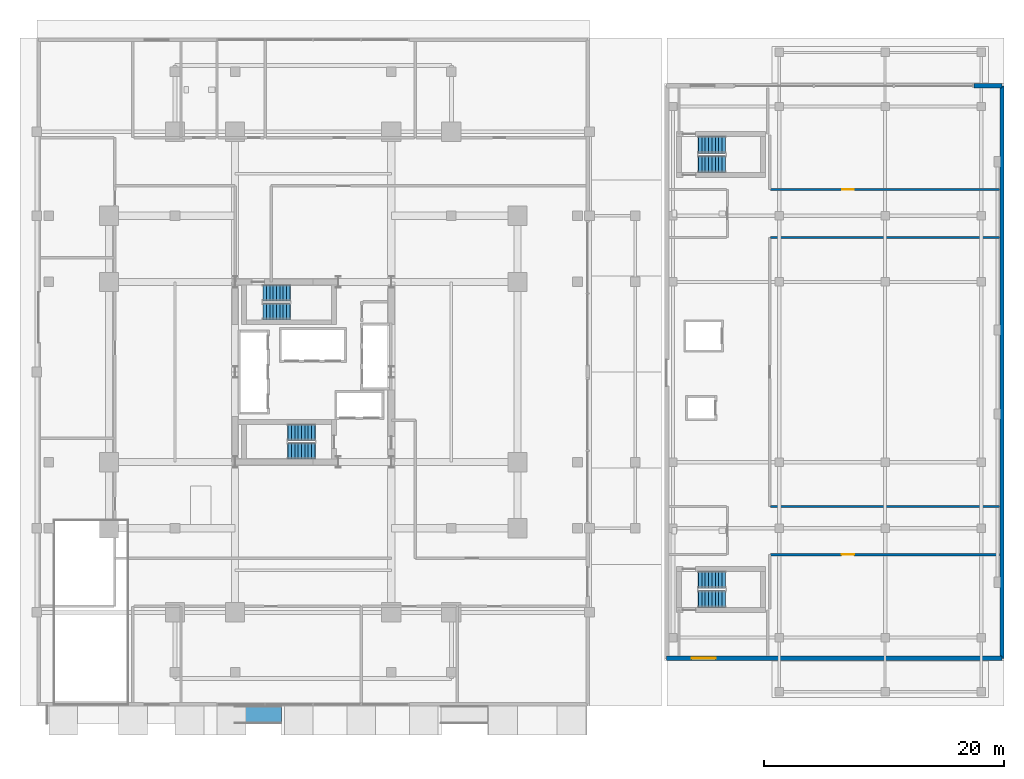
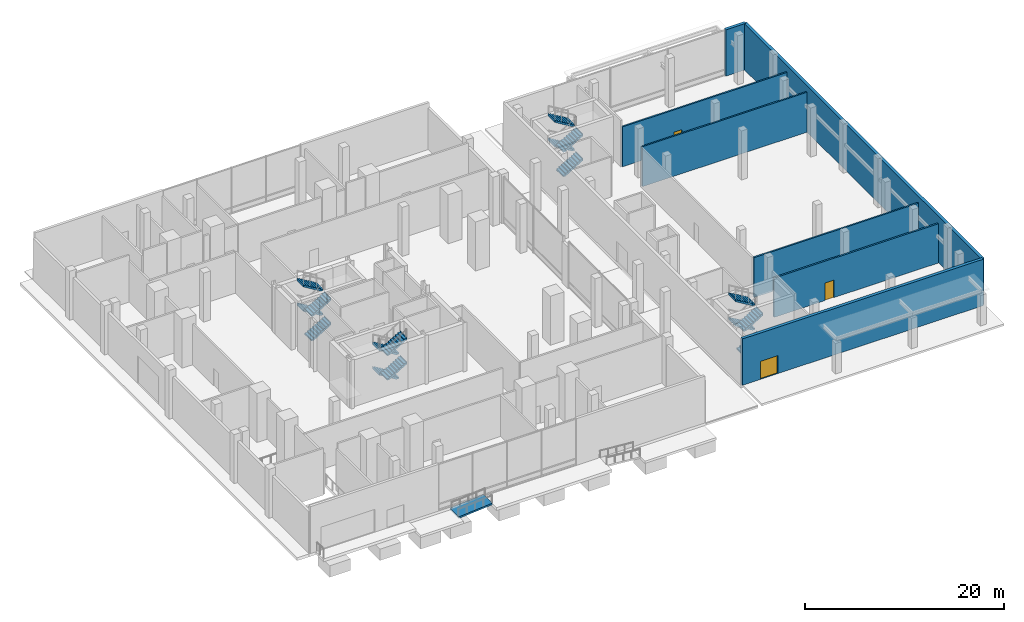
# One storey, part 28 of 34: 16 stair flights, 7 walls, 3 doors, 1 ramp flight, 3 openings, 5 elements without a shape of their own.
"""IFC4 building model written with IfcOpenShell, lengths in metres."""

from ifc_helpers import new_model, si_unit, direction, frame, frame_2d, origin, place, context, subcontext, project, spatial, polyline, rectangle, outline, extrude, material, layer, layer_set, type_object, element, fill, aggregate, save


model = new_model("IFC4")

# Units and contexts
model_context = context("Model", 3, precision=1e-05, world=origin(), true_north=direction((0.0, 1.0)))
body_context = subcontext(model_context, "Body", "Model", "MODEL_VIEW")
ifc_project = project(units=[si_unit("LENGTHUNIT", "METRE"), si_unit("AREAUNIT", "SQUARE_METRE"), si_unit("VOLUMEUNIT", "CUBIC_METRE"), si_unit("PLANEANGLEUNIT", "RADIAN"), si_unit("MASSUNIT", "GRAM", prefix="KILO")], contexts=[model_context])

# Site, building, storey
site_placement = place(None, origin())
site = spatial("IfcSite", under=ifc_project, at=site_placement, CompositionType="ELEMENT")
building_placement = place(site_placement, origin())
building = spatial("IfcBuilding", under=site, at=building_placement, Name="Barlavira Tower and Art Museum", CompositionType="ELEMENT")
storey_placement = place(building_placement, origin())
storey = spatial("IfcBuildingStorey", under=building, at=storey_placement, Name="L00", CompositionType="ELEMENT", Elevation=0.0)

# Wall, opening, door
ifc_material_1 = material(Name="Autoclaved aerated concrete masonry", Category="masonry")
ifc_layer_1 = layer(ifc_material_1, 0.199951171875, Name="Autoclaved aerated concrete masonry")
ifc_layer_set_1 = layer_set([ifc_layer_1], Name="Autoclaved aerated concrete masonry")
wall_type_1 = type_object("IfcWallType", Name="Fire Compartment and Shaft Wall 200", PredefinedType="SOLIDWALL", material=ifc_layer_set_1)
wall_1_placement = place(storey_placement, frame((38.080078125, -15.199951171875, 0.0), z_axis=(0.0, 0.0, 1.0), x_axis=(1.0, 0.0, 0.0)))
wall_1 = element("IfcWall", 1, at=wall_1_placement, inside=storey, type_object=wall_type_1, Name="L00 Partition Wall 23", PredefinedType="SOLIDWALL", context=body_context, shape_type="SweptSolid", body=[
    extrude(rectangle(XDim=19.06494140625, YDim=0.199951171875, at=frame_2d((9.532470703125, 0.0))), origin(), (0.0, 0.0, 1.0), 4.81396484375),
])
opening_1_placement = place(wall_1_placement, frame((5.89501953125, 0.0, 0.0)))
opening_1 = element("IfcOpeningElement", 2, at=opening_1_placement, cuts=wall_1, Name="Opening FD-90", PredefinedType="OPENING", context=body_context, shape_type="SweptSolid", body=[
    extrude(rectangle(XDim=1.050048828125, YDim=2.14990234375, at=frame_2d((0.52490234375, 1.074951171875))), frame((0.0, 0.10986328125, 0.0), z_axis=(0.0, -1.0, 0.0), x_axis=(1.0, 0.0, 0.0)), (0.0, 0.0, 1.0), 0.219970703125),
])
ifc_material_2 = material(Name="Brushed stainless steel", Category="steel")
door_type_1 = type_object("IfcDoorType", Name="Stair and Refuge Fire Door 1050x2150 FD90S", OperationType="NOTDEFINED", PredefinedType="DOOR", material=ifc_material_2)
door_1_placement = place(opening_1_placement, origin())
door_1 = element("IfcDoor", 3, at=door_1_placement, inside=storey, type_object=door_type_1, Name="Art Receiving and Acclimatisation Vault Door", OperationType="SINGLE_SWING_LEFT", OverallHeight=2.14990234375, OverallWidth=1.050048828125, PredefinedType="DOOR", context=body_context, shape_type="SweptSolid", body=[
    extrude(rectangle(XDim=1.050048828125, YDim=2.14990234375, at=frame_2d((0.52490234375, 1.074951171875))), frame((0.0, 0.02490234375, 0.0), z_axis=(0.0, -1.0, 0.0), x_axis=(1.0, 0.0, 0.0)), (0.0, 0.0, 1.0), 0.050048828125),
])
fill(opening_1, door_1)

# Walls
ifc_material_3 = material(Name="Gypsum acoustic stud partition", Category="gypsum")
ifc_layer_2 = layer(ifc_material_3, 0.179931640625, Name="Gypsum acoustic stud partition")
ifc_layer_set_2 = layer_set([ifc_layer_2], Name="Gypsum acoustic stud partition")
wall_type_2 = type_object("IfcWallType", Name="Inter-Tenancy Party Partition Wall 180", PredefinedType="PARTITIONING", material=ifc_layer_set_2)
for number, where, z_axis, x_axis, name in (
    (4, (38.080078125, -11.199951171875, 0.0), (0.0, 0.0, 1.0), (1.0, 0.0, 0.0), "L00 Partition Wall 25"),
    (5, (38.080078125, 11.199951171875, 0.0), (0.0, 0.0, 1.0), (1.0, 0.0, 0.0), "L00 Partition Wall 30"),
):
    element("IfcWall", number, at=place(storey_placement, frame(where, z_axis=z_axis, x_axis=x_axis)), inside=storey, type_object=wall_type_2, Name=name, PredefinedType="PARTITIONING", context=body_context, shape_type="SweptSolid", body=[
        extrude(rectangle(XDim=19.06494140625, YDim=0.179931640625, at=frame_2d((9.532470703125, 0.0))), origin(), (0.0, 0.0, 1.0), 4.89697265625),
    ])

# Wall, opening, door
wall_2_placement = place(storey_placement, frame((38.080078125, 15.199951171875, 0.0), z_axis=(0.0, 0.0, 1.0), x_axis=(1.0, 0.0, 0.0)))
wall_2 = element("IfcWall", 6, at=wall_2_placement, inside=storey, type_object=wall_type_2, Name="L00 Partition Wall 32", PredefinedType="PARTITIONING", context=body_context, shape_type="SweptSolid", body=[
    extrude(rectangle(XDim=19.06494140625, YDim=0.179931640625, at=frame_2d((9.532470703125, 0.0))), origin(), (0.0, 0.0, 1.0), 4.89697265625),
])
opening_2_placement = place(wall_2_placement, frame((5.945068359375, 0.0, 0.0)))
opening_2 = element("IfcOpeningElement", 7, at=opening_2_placement, cuts=wall_2, Name="Opening FD-60", PredefinedType="OPENING", context=body_context, shape_type="SweptSolid", body=[
    extrude(rectangle(XDim=0.949951171875, YDim=2.14990234375, at=frame_2d((0.47509765625, 1.074951171875))), frame((0.0, 0.10009765625, 0.0), z_axis=(0.0, -1.0, 0.0), x_axis=(1.0, 0.0, 0.0)), (0.0, 0.0, 1.0), 0.199951171875),
])
door_type_2 = type_object("IfcDoorType", Name="Apartment Entrance and Riser Fire Door 950x2150 FD60S", OperationType="NOTDEFINED", PredefinedType="DOOR", material=ifc_material_2)
door_2_placement = place(opening_2_placement, origin())
door_2 = element("IfcDoor", 8, at=door_2_placement, inside=storey, type_object=door_type_2, Name="Museum Art Bookshop and Design Store Door", OperationType="SINGLE_SWING_RIGHT", OverallHeight=2.14990234375, OverallWidth=0.949951171875, PredefinedType="DOOR", context=body_context, shape_type="SweptSolid", body=[
    extrude(rectangle(XDim=0.949951171875, YDim=2.14990234375, at=frame_2d((0.47509765625, 1.074951171875))), frame((0.0, 0.02490234375, 0.0), z_axis=(0.0, -1.0, 0.0), x_axis=(1.0, 0.0, 0.0)), (0.0, 0.0, 1.0), 0.050048828125),
])
fill(opening_2, door_2)

ifc_material_4 = material(Name="Precast concrete C40", Category="concrete")
ifc_layer_3 = layer(ifc_material_4, 0.35009765625, Name="Precast concrete C40")
ifc_layer_set_3 = layer_set([ifc_layer_3], Name="Precast concrete C40")
wall_type_3 = type_object("IfcWallType", Name="Museum Board-Formed Concrete Facade Wall 350 Concrete C40", PredefinedType="SOLIDWALL", material=ifc_layer_set_3)
wall_3_placement = place(storey_placement, frame((57.324951171875, -23.824951171875, 0.0), z_axis=(0.0, 0.0, 1.0), x_axis=(-1.0, 0.0, 0.0)))
wall_3 = element("IfcWall", 9, at=wall_3_placement, inside=storey, type_object=wall_type_3, Name="L00 Museum South Facade Wall", PredefinedType="SOLIDWALL", context=body_context, shape_type="SweptSolid", body=[
    extrude(rectangle(XDim=27.89990234375, YDim=0.35009765625, at=frame_2d((13.949951171875, 0.0))), origin(), (0.0, 0.0, 1.0), 5.679931640625),
])
opening_3_placement = place(wall_3_placement, frame((23.824951171875, 0.0, 0.0)))
opening_3 = element("IfcOpeningElement", 10, at=opening_3_placement, cuts=wall_3, Name="Opening ED-04", PredefinedType="OPENING", context=body_context, shape_type="SweptSolid", body=[
    extrude(rectangle(XDim=2.0, YDim=2.199951171875, at=frame_2d((1.0, 1.10009765625))), frame((0.0, 0.18505859375, 0.0), z_axis=(0.0, -1.0, 0.0), x_axis=(1.0, 0.0, 0.0)), (0.0, 0.0, 1.0), 0.3701171875),
])
ifc_material_5 = material(Name="Galvanised steel", Category="steel")
door_type_3 = type_object("IfcDoorType", Name="Ground Exit Discharge Outward Double Door 2000x2200 FD90S", OperationType="NOTDEFINED", PredefinedType="DOOR", material=ifc_material_5)
door_3_placement = place(opening_3_placement, origin())
door_3 = element("IfcDoor", 11, at=door_3_placement, inside=storey, type_object=door_type_3, Name="Museum South Final Exit Discharge Door", OperationType="DOUBLE_DOOR_SINGLE_SWING", OverallHeight=2.199951171875, OverallWidth=2.0, PredefinedType="DOOR", context=body_context, shape_type="SweptSolid", body=[
    extrude(rectangle(XDim=2.0, YDim=2.199951171875, at=frame_2d((1.0, 1.10009765625))), frame((0.0, 0.02490234375, 0.0), z_axis=(0.0, -1.0, 0.0), x_axis=(1.0, 0.0, 0.0)), (0.0, 0.0, 1.0), 0.050048828125),
])
fill(opening_3, door_3)

# Walls
wall_4_placement = place(storey_placement, frame((57.324951171875, -23.824951171875, 0.0), z_axis=(0.0, 0.0, 1.0), x_axis=(0.0, 1.0, 0.0)))
element("IfcWall", 12, at=wall_4_placement, inside=storey, type_object=wall_type_3, Name="L00 Museum East Coastal Facade Wall", PredefinedType="SOLIDWALL", context=body_context, shape_type="SweptSolid", body=[
    extrude(rectangle(XDim=47.64990234375, YDim=0.35009765625, at=frame_2d((23.824951171875, 0.0))), origin(), (0.0, 0.0, 1.0), 5.679931640625),
])
wall_5_placement = place(storey_placement, frame((57.324951171875, 23.824951171875, 0.0), z_axis=(0.0, 0.0, 1.0), x_axis=(-1.0, 0.0, 0.0)))
element("IfcWall", 13, at=wall_5_placement, inside=storey, type_object=wall_type_3, Name="L00 Museum North-East Pier Wall", PredefinedType="SOLIDWALL", context=body_context, shape_type="SweptSolid", body=[
    extrude(rectangle(XDim=2.324951171875, YDim=0.35009765625, at=frame_2d((1.16259765625, 0.0))), origin(), (0.0, 0.0, 1.0), 5.679931640625),
])

# Stair, stair flights
ifc_material_6 = material(Name="Concrete C45", Category="concrete")
stair_type_1 = type_object("IfcStairType", Name="Museum North Dog-Leg Exit Stair Assembly Concrete C45", PredefinedType="TWO_QUARTER_TURN_STAIR", material=ifc_material_6)
stair_1_placement = place(storey_placement, origin())
stair_1 = element("IfcStair", 14, at=stair_1_placement, inside=storey, type_object=stair_type_1, Name="L00 Museum North Exit Stair ST-M2", PredefinedType="TWO_QUARTER_TURN_STAIR")
ifc_material_7 = material(Name="Precast concrete C45", Category="concrete")
stair_flight_type_1 = type_object("IfcStairFlightType", Name="Museum North Dog-Leg Exit Stair Precast Flight 1400 Concrete C45", PredefinedType="STRAIGHT", material=ifc_material_7)
stair_flight_1_placement = place(storey_placement, frame((32.070068359375, 17.300048828125, 0.0), z_axis=(0.0, 0.0, 1.0), x_axis=(1.0, 0.0, 0.0)))
stair_flight_1 = element("IfcStairFlight", 15, at=stair_flight_1_placement, type_object=stair_flight_type_1, Name="ST-M2 flight 1", NumberOfRisers=9, NumberOfTreads=8, PredefinedType="STRAIGHT", RiserHeight=0.166666667, TreadLength=0.28, context=body_context, shape_type="SweptSolid", body=[
    extrude(outline(polyline([(-0.02490234375, 0.0), (0.0, 0.0), (0.0, 0.166748046875), (0.280029296875, 0.166748046875), (0.280029296875, 0.333251953125), (0.56005859375, 0.333251953125), (0.56005859375, 0.5), (0.840087890625, 0.5), (0.840087890625, 0.666748046875), (1.1201171875, 0.666748046875), (1.1201171875, 0.833251953125), (1.39990234375, 0.833251953125), (1.39990234375, 1.0), (1.679931640625, 1.0), (1.679931640625, 1.166748046875), (1.9599609375, 1.166748046875), (1.9599609375, 1.333251953125), (2.239990234375, 1.333251953125), (2.239990234375, 1.5), (2.264892578125, 1.5), (2.264892578125, 1.158935546875), (2.239990234375, 1.158935546875), (0.29296875, -0.02490234375), (-0.02490234375, -0.02490234375), (-0.02490234375, 0.0)])), frame((0.0, 0.699951171875, 0.0), z_axis=(0.0, -1.0, 0.0), x_axis=(1.0, 0.0, 0.0)), (0.0, 0.0, 1.0), 1.39990234375),
])
stair_flight_2_placement = place(storey_placement, frame((34.31005859375, 18.89990234375, 1.5), z_axis=(0.0, 0.0, 1.0), x_axis=(-1.0, 0.0, 0.0)))
stair_flight_2 = element("IfcStairFlight", 16, at=stair_flight_2_placement, type_object=stair_flight_type_1, Name="ST-M2 flight 2", NumberOfRisers=9, NumberOfTreads=8, PredefinedType="STRAIGHT", RiserHeight=0.166666667, TreadLength=0.28, context=body_context, shape_type="SweptSolid", body=[
    extrude(outline(polyline([(-0.02490234375, 0.0), (0.0, 0.0), (0.0, 0.166748046875), (0.280029296875, 0.166748046875), (0.280029296875, 0.333251953125), (0.56005859375, 0.333251953125), (0.56005859375, 0.5), (0.840087890625, 0.5), (0.840087890625, 0.666748046875), (1.1201171875, 0.666748046875), (1.1201171875, 0.833251953125), (1.39990234375, 0.833251953125), (1.39990234375, 1.0), (1.679931640625, 1.0), (1.679931640625, 1.166748046875), (1.9599609375, 1.166748046875), (1.9599609375, 1.333251953125), (2.239990234375, 1.333251953125), (2.239990234375, 1.5), (2.264892578125, 1.5), (2.264892578125, 1.158935546875), (2.239990234375, 1.158935546875), (0.29296875, -0.02490234375), (-0.02490234375, -0.02490234375), (-0.02490234375, 0.0)])), frame((0.0, 0.699951171875, 0.0), z_axis=(0.0, -1.0, 0.0), x_axis=(1.0, 0.0, 0.0)), (0.0, 0.0, 1.0), 1.39990234375),
])
stair_flight_3_placement = place(storey_placement, frame((32.070068359375, 17.300048828125, 3.0), z_axis=(0.0, 0.0, 1.0), x_axis=(1.0, 0.0, 0.0)))
stair_flight_3 = element("IfcStairFlight", 17, at=stair_flight_3_placement, type_object=stair_flight_type_1, Name="ST-M2 flight 3", NumberOfRisers=9, NumberOfTreads=8, PredefinedType="STRAIGHT", RiserHeight=0.166666667, TreadLength=0.28, context=body_context, shape_type="SweptSolid", body=[
    extrude(outline(polyline([(-0.02490234375, 0.0), (0.0, 0.0), (0.0, 0.166748046875), (0.280029296875, 0.166748046875), (0.280029296875, 0.333251953125), (0.56005859375, 0.333251953125), (0.56005859375, 0.5), (0.840087890625, 0.5), (0.840087890625, 0.666748046875), (1.1201171875, 0.666748046875), (1.1201171875, 0.833251953125), (1.39990234375, 0.833251953125), (1.39990234375, 1.0), (1.679931640625, 1.0), (1.679931640625, 1.166748046875), (1.9599609375, 1.166748046875), (1.9599609375, 1.333251953125), (2.239990234375, 1.333251953125), (2.239990234375, 1.5), (2.264892578125, 1.5), (2.264892578125, 1.158935546875), (2.239990234375, 1.158935546875), (0.29296875, -0.02490234375), (-0.02490234375, -0.02490234375), (-0.02490234375, 0.0)])), frame((0.0, 0.699951171875, 0.0), z_axis=(0.0, -1.0, 0.0), x_axis=(1.0, 0.0, 0.0)), (0.0, 0.0, 1.0), 1.39990234375),
])
stair_flight_4_placement = place(storey_placement, frame((34.31005859375, 18.89990234375, 4.5), z_axis=(0.0, 0.0, 1.0), x_axis=(-1.0, 0.0, 0.0)))
stair_flight_4 = element("IfcStairFlight", 18, at=stair_flight_4_placement, type_object=stair_flight_type_1, Name="ST-M2 flight 4", NumberOfRisers=9, NumberOfTreads=8, PredefinedType="STRAIGHT", RiserHeight=0.166666667, TreadLength=0.28, context=body_context, shape_type="SweptSolid", body=[
    extrude(outline(polyline([(-0.02490234375, 0.0), (0.0, 0.0), (0.0, 0.166748046875), (0.280029296875, 0.166748046875), (0.280029296875, 0.333251953125), (0.56005859375, 0.333251953125), (0.56005859375, 0.5), (0.840087890625, 0.5), (0.840087890625, 0.666748046875), (1.1201171875, 0.666748046875), (1.1201171875, 0.833251953125), (1.39990234375, 0.833251953125), (1.39990234375, 1.0), (1.679931640625, 1.0), (1.679931640625, 1.166748046875), (1.9599609375, 1.166748046875), (1.9599609375, 1.333251953125), (2.239990234375, 1.333251953125), (2.239990234375, 1.5), (2.264892578125, 1.5), (2.264892578125, 1.158935546875), (2.239990234375, 1.158935546875), (0.29296875, -0.02490234375), (-0.02490234375, -0.02490234375), (-0.02490234375, 0.0)])), frame((0.0, 0.699951171875, 0.0), z_axis=(0.0, -1.0, 0.0), x_axis=(1.0, 0.0, 0.0)), (0.0, 0.0, 1.0), 1.39990234375),
])
aggregate(stair_1, [stair_flight_1, stair_flight_2, stair_flight_3, stair_flight_4])

stair_type_2 = type_object("IfcStairType", Name="Museum South Dog-Leg Exit Stair Assembly Concrete C45", PredefinedType="TWO_QUARTER_TURN_STAIR", material=ifc_material_6)
stair_2_placement = place(storey_placement, origin())
stair_2 = element("IfcStair", 19, at=stair_2_placement, inside=storey, type_object=stair_type_2, Name="L00 Museum South Exit Stair ST-M1", PredefinedType="TWO_QUARTER_TURN_STAIR")
stair_flight_type_2 = type_object("IfcStairFlightType", Name="Museum South Dog-Leg Exit Stair Precast Flight 1400 Concrete C45", PredefinedType="STRAIGHT", material=ifc_material_7)
stair_flight_5_placement = place(storey_placement, frame((32.070068359375, -18.89990234375, 0.0), z_axis=(0.0, 0.0, 1.0), x_axis=(1.0, 0.0, 0.0)))
stair_flight_5 = element("IfcStairFlight", 20, at=stair_flight_5_placement, type_object=stair_flight_type_2, Name="ST-M1 flight 1", NumberOfRisers=9, NumberOfTreads=8, PredefinedType="STRAIGHT", RiserHeight=0.166666667, TreadLength=0.28, context=body_context, shape_type="SweptSolid", body=[
    extrude(outline(polyline([(-0.02490234375, 0.0), (0.0, 0.0), (0.0, 0.166748046875), (0.280029296875, 0.166748046875), (0.280029296875, 0.333251953125), (0.56005859375, 0.333251953125), (0.56005859375, 0.5), (0.840087890625, 0.5), (0.840087890625, 0.666748046875), (1.1201171875, 0.666748046875), (1.1201171875, 0.833251953125), (1.39990234375, 0.833251953125), (1.39990234375, 1.0), (1.679931640625, 1.0), (1.679931640625, 1.166748046875), (1.9599609375, 1.166748046875), (1.9599609375, 1.333251953125), (2.239990234375, 1.333251953125), (2.239990234375, 1.5), (2.264892578125, 1.5), (2.264892578125, 1.158935546875), (2.239990234375, 1.158935546875), (0.29296875, -0.02490234375), (-0.02490234375, -0.02490234375), (-0.02490234375, 0.0)])), frame((0.0, 0.699951171875, 0.0), z_axis=(0.0, -1.0, 0.0), x_axis=(1.0, 0.0, 0.0)), (0.0, 0.0, 1.0), 1.39990234375),
])
stair_flight_6_placement = place(storey_placement, frame((34.31005859375, -17.300048828125, 1.5), z_axis=(0.0, 0.0, 1.0), x_axis=(-1.0, 0.0, 0.0)))
stair_flight_6 = element("IfcStairFlight", 21, at=stair_flight_6_placement, type_object=stair_flight_type_2, Name="ST-M1 flight 2", NumberOfRisers=9, NumberOfTreads=8, PredefinedType="STRAIGHT", RiserHeight=0.166666667, TreadLength=0.28, context=body_context, shape_type="SweptSolid", body=[
    extrude(outline(polyline([(-0.02490234375, 0.0), (0.0, 0.0), (0.0, 0.166748046875), (0.280029296875, 0.166748046875), (0.280029296875, 0.333251953125), (0.56005859375, 0.333251953125), (0.56005859375, 0.5), (0.840087890625, 0.5), (0.840087890625, 0.666748046875), (1.1201171875, 0.666748046875), (1.1201171875, 0.833251953125), (1.39990234375, 0.833251953125), (1.39990234375, 1.0), (1.679931640625, 1.0), (1.679931640625, 1.166748046875), (1.9599609375, 1.166748046875), (1.9599609375, 1.333251953125), (2.239990234375, 1.333251953125), (2.239990234375, 1.5), (2.264892578125, 1.5), (2.264892578125, 1.158935546875), (2.239990234375, 1.158935546875), (0.29296875, -0.02490234375), (-0.02490234375, -0.02490234375), (-0.02490234375, 0.0)])), frame((0.0, 0.699951171875, 0.0), z_axis=(0.0, -1.0, 0.0), x_axis=(1.0, 0.0, 0.0)), (0.0, 0.0, 1.0), 1.39990234375),
])
stair_flight_7_placement = place(storey_placement, frame((32.070068359375, -18.89990234375, 3.0), z_axis=(0.0, 0.0, 1.0), x_axis=(1.0, 0.0, 0.0)))
stair_flight_7 = element("IfcStairFlight", 22, at=stair_flight_7_placement, type_object=stair_flight_type_2, Name="ST-M1 flight 3", NumberOfRisers=9, NumberOfTreads=8, PredefinedType="STRAIGHT", RiserHeight=0.166666667, TreadLength=0.28, context=body_context, shape_type="SweptSolid", body=[
    extrude(outline(polyline([(-0.02490234375, 0.0), (0.0, 0.0), (0.0, 0.166748046875), (0.280029296875, 0.166748046875), (0.280029296875, 0.333251953125), (0.56005859375, 0.333251953125), (0.56005859375, 0.5), (0.840087890625, 0.5), (0.840087890625, 0.666748046875), (1.1201171875, 0.666748046875), (1.1201171875, 0.833251953125), (1.39990234375, 0.833251953125), (1.39990234375, 1.0), (1.679931640625, 1.0), (1.679931640625, 1.166748046875), (1.9599609375, 1.166748046875), (1.9599609375, 1.333251953125), (2.239990234375, 1.333251953125), (2.239990234375, 1.5), (2.264892578125, 1.5), (2.264892578125, 1.158935546875), (2.239990234375, 1.158935546875), (0.29296875, -0.02490234375), (-0.02490234375, -0.02490234375), (-0.02490234375, 0.0)])), frame((0.0, 0.699951171875, 0.0), z_axis=(0.0, -1.0, 0.0), x_axis=(1.0, 0.0, 0.0)), (0.0, 0.0, 1.0), 1.39990234375),
])
stair_flight_8_placement = place(storey_placement, frame((34.31005859375, -17.300048828125, 4.5), z_axis=(0.0, 0.0, 1.0), x_axis=(-1.0, 0.0, 0.0)))
stair_flight_8 = element("IfcStairFlight", 23, at=stair_flight_8_placement, type_object=stair_flight_type_2, Name="ST-M1 flight 4", NumberOfRisers=9, NumberOfTreads=8, PredefinedType="STRAIGHT", RiserHeight=0.166666667, TreadLength=0.28, context=body_context, shape_type="SweptSolid", body=[
    extrude(outline(polyline([(-0.02490234375, 0.0), (0.0, 0.0), (0.0, 0.166748046875), (0.280029296875, 0.166748046875), (0.280029296875, 0.333251953125), (0.56005859375, 0.333251953125), (0.56005859375, 0.5), (0.840087890625, 0.5), (0.840087890625, 0.666748046875), (1.1201171875, 0.666748046875), (1.1201171875, 0.833251953125), (1.39990234375, 0.833251953125), (1.39990234375, 1.0), (1.679931640625, 1.0), (1.679931640625, 1.166748046875), (1.9599609375, 1.166748046875), (1.9599609375, 1.333251953125), (2.239990234375, 1.333251953125), (2.239990234375, 1.5), (2.264892578125, 1.5), (2.264892578125, 1.158935546875), (2.239990234375, 1.158935546875), (0.29296875, -0.02490234375), (-0.02490234375, -0.02490234375), (-0.02490234375, 0.0)])), frame((0.0, 0.699951171875, 0.0), z_axis=(0.0, -1.0, 0.0), x_axis=(1.0, 0.0, 0.0)), (0.0, 0.0, 1.0), 1.39990234375),
])
aggregate(stair_2, [stair_flight_5, stair_flight_6, stair_flight_7, stair_flight_8])

stair_type_3 = type_object("IfcStairType", Name="Tower North Dog-Leg Exit Stair Assembly Concrete C45", PredefinedType="TWO_QUARTER_TURN_STAIR", material=ifc_material_6)
stair_3_placement = place(storey_placement, origin())
stair_3 = element("IfcStair", 24, at=stair_3_placement, inside=storey, type_object=stair_type_3, Name="L00 Tower North Exit Stair ST-T2", PredefinedType="TWO_QUARTER_TURN_STAIR")
stair_flight_type_3 = type_object("IfcStairFlightType", Name="Tower North Dog-Leg Exit Stair Precast Flight 1350 Concrete C45", PredefinedType="STRAIGHT", material=ifc_material_7)
stair_flight_9_placement = place(storey_placement, frame((-4.169921875, 5.02490234375, 0.0), z_axis=(0.0, 0.0, 1.0), x_axis=(1.0, 0.0, 0.0)))
stair_flight_9 = element("IfcStairFlight", 25, at=stair_flight_9_placement, type_object=stair_flight_type_3, Name="ST-T2 flight 1", NumberOfRisers=9, NumberOfTreads=8, PredefinedType="STRAIGHT", RiserHeight=0.166666667, TreadLength=0.28, context=body_context, shape_type="SweptSolid", body=[
    extrude(outline(polyline([(-0.02490234375, 0.0), (0.0, 0.0), (0.0, 0.166748046875), (0.280029296875, 0.166748046875), (0.280029296875, 0.333251953125), (0.56005859375, 0.333251953125), (0.56005859375, 0.5), (0.840087890625, 0.5), (0.840087890625, 0.666748046875), (1.1201171875, 0.666748046875), (1.1201171875, 0.833251953125), (1.39990234375, 0.833251953125), (1.39990234375, 1.0), (1.679931640625, 1.0), (1.679931640625, 1.166748046875), (1.9599609375, 1.166748046875), (1.9599609375, 1.333251953125), (2.239990234375, 1.333251953125), (2.239990234375, 1.5), (2.264892578125, 1.5), (2.264892578125, 1.158935546875), (2.239990234375, 1.158935546875), (0.29296875, -0.02490234375), (-0.02490234375, -0.02490234375), (-0.02490234375, 0.0)])), frame((0.0, 0.675048828125, 0.0), z_axis=(0.0, -1.0, 0.0), x_axis=(1.0, 0.0, 0.0)), (0.0, 0.0, 1.0), 1.35009765625),
])
stair_flight_10_placement = place(storey_placement, frame((-1.929931640625, 6.574951171875, 1.5), z_axis=(0.0, 0.0, 1.0), x_axis=(-1.0, 0.0, 0.0)))
stair_flight_10 = element("IfcStairFlight", 26, at=stair_flight_10_placement, type_object=stair_flight_type_3, Name="ST-T2 flight 2", NumberOfRisers=9, NumberOfTreads=8, PredefinedType="STRAIGHT", RiserHeight=0.166666667, TreadLength=0.28, context=body_context, shape_type="SweptSolid", body=[
    extrude(outline(polyline([(-0.02490234375, 0.0), (0.0, 0.0), (0.0, 0.166748046875), (0.280029296875, 0.166748046875), (0.280029296875, 0.333251953125), (0.56005859375, 0.333251953125), (0.56005859375, 0.5), (0.840087890625, 0.5), (0.840087890625, 0.666748046875), (1.1201171875, 0.666748046875), (1.1201171875, 0.833251953125), (1.39990234375, 0.833251953125), (1.39990234375, 1.0), (1.679931640625, 1.0), (1.679931640625, 1.166748046875), (1.9599609375, 1.166748046875), (1.9599609375, 1.333251953125), (2.239990234375, 1.333251953125), (2.239990234375, 1.5), (2.264892578125, 1.5), (2.264892578125, 1.158935546875), (2.239990234375, 1.158935546875), (0.29296875, -0.02490234375), (-0.02490234375, -0.02490234375), (-0.02490234375, 0.0)])), frame((0.0, 0.675048828125, 0.0), z_axis=(0.0, -1.0, 0.0), x_axis=(1.0, 0.0, 0.0)), (0.0, 0.0, 1.0), 1.35009765625),
])
stair_flight_11_placement = place(storey_placement, frame((-4.169921875, 5.02490234375, 3.0), z_axis=(0.0, 0.0, 1.0), x_axis=(1.0, 0.0, 0.0)))
stair_flight_11 = element("IfcStairFlight", 27, at=stair_flight_11_placement, type_object=stair_flight_type_3, Name="ST-T2 flight 3", NumberOfRisers=9, NumberOfTreads=8, PredefinedType="STRAIGHT", RiserHeight=0.166666667, TreadLength=0.28, context=body_context, shape_type="SweptSolid", body=[
    extrude(outline(polyline([(-0.02490234375, 0.0), (0.0, 0.0), (0.0, 0.166748046875), (0.280029296875, 0.166748046875), (0.280029296875, 0.333251953125), (0.56005859375, 0.333251953125), (0.56005859375, 0.5), (0.840087890625, 0.5), (0.840087890625, 0.666748046875), (1.1201171875, 0.666748046875), (1.1201171875, 0.833251953125), (1.39990234375, 0.833251953125), (1.39990234375, 1.0), (1.679931640625, 1.0), (1.679931640625, 1.166748046875), (1.9599609375, 1.166748046875), (1.9599609375, 1.333251953125), (2.239990234375, 1.333251953125), (2.239990234375, 1.5), (2.264892578125, 1.5), (2.264892578125, 1.158935546875), (2.239990234375, 1.158935546875), (0.29296875, -0.02490234375), (-0.02490234375, -0.02490234375), (-0.02490234375, 0.0)])), frame((0.0, 0.675048828125, 0.0), z_axis=(0.0, -1.0, 0.0), x_axis=(1.0, 0.0, 0.0)), (0.0, 0.0, 1.0), 1.35009765625),
])
stair_flight_12_placement = place(storey_placement, frame((-1.929931640625, 6.574951171875, 4.5), z_axis=(0.0, 0.0, 1.0), x_axis=(-1.0, 0.0, 0.0)))
stair_flight_12 = element("IfcStairFlight", 28, at=stair_flight_12_placement, type_object=stair_flight_type_3, Name="ST-T2 flight 4", NumberOfRisers=9, NumberOfTreads=8, PredefinedType="STRAIGHT", RiserHeight=0.166666667, TreadLength=0.28, context=body_context, shape_type="SweptSolid", body=[
    extrude(outline(polyline([(-0.02490234375, 0.0), (0.0, 0.0), (0.0, 0.166748046875), (0.280029296875, 0.166748046875), (0.280029296875, 0.333251953125), (0.56005859375, 0.333251953125), (0.56005859375, 0.5), (0.840087890625, 0.5), (0.840087890625, 0.666748046875), (1.1201171875, 0.666748046875), (1.1201171875, 0.833251953125), (1.39990234375, 0.833251953125), (1.39990234375, 1.0), (1.679931640625, 1.0), (1.679931640625, 1.166748046875), (1.9599609375, 1.166748046875), (1.9599609375, 1.333251953125), (2.239990234375, 1.333251953125), (2.239990234375, 1.5), (2.264892578125, 1.5), (2.264892578125, 1.158935546875), (2.239990234375, 1.158935546875), (0.29296875, -0.02490234375), (-0.02490234375, -0.02490234375), (-0.02490234375, 0.0)])), frame((0.0, 0.675048828125, 0.0), z_axis=(0.0, -1.0, 0.0), x_axis=(1.0, 0.0, 0.0)), (0.0, 0.0, 1.0), 1.35009765625),
])
aggregate(stair_3, [stair_flight_9, stair_flight_10, stair_flight_11, stair_flight_12])

stair_type_4 = type_object("IfcStairType", Name="Tower South Dog-Leg Exit Stair Assembly Concrete C45", PredefinedType="TWO_QUARTER_TURN_STAIR", material=ifc_material_6)
stair_4_placement = place(storey_placement, origin())
stair_4 = element("IfcStair", 29, at=stair_4_placement, inside=storey, type_object=stair_type_4, Name="L00 Tower South Exit Stair ST-T1", PredefinedType="TWO_QUARTER_TURN_STAIR")
stair_flight_type_4 = type_object("IfcStairFlightType", Name="Tower South Dog-Leg Exit Stair Precast Flight 1350 Concrete C45", PredefinedType="STRAIGHT", material=ifc_material_7)
stair_flight_13_placement = place(storey_placement, frame((0.14990234375, -5.02490234375, 0.0), z_axis=(0.0, 0.0, 1.0), x_axis=(-1.0, 0.0, 0.0)))
stair_flight_13 = element("IfcStairFlight", 30, at=stair_flight_13_placement, type_object=stair_flight_type_4, Name="ST-T1 flight 1", NumberOfRisers=9, NumberOfTreads=8, PredefinedType="STRAIGHT", RiserHeight=0.166666667, TreadLength=0.28, context=body_context, shape_type="SweptSolid", body=[
    extrude(outline(polyline([(-0.02490234375, 0.0), (0.0, 0.0), (0.0, 0.166748046875), (0.280029296875, 0.166748046875), (0.280029296875, 0.333251953125), (0.56005859375, 0.333251953125), (0.56005859375, 0.5), (0.840087890625, 0.5), (0.840087890625, 0.666748046875), (1.1201171875, 0.666748046875), (1.1201171875, 0.833251953125), (1.39990234375, 0.833251953125), (1.39990234375, 1.0), (1.679931640625, 1.0), (1.679931640625, 1.166748046875), (1.9599609375, 1.166748046875), (1.9599609375, 1.333251953125), (2.239990234375, 1.333251953125), (2.239990234375, 1.5), (2.264892578125, 1.5), (2.264892578125, 1.158935546875), (2.239990234375, 1.158935546875), (0.29296875, -0.02490234375), (-0.02490234375, -0.02490234375), (-0.02490234375, 0.0)])), frame((0.0, 0.675048828125, 0.0), z_axis=(0.0, -1.0, 0.0), x_axis=(1.0, 0.0, 0.0)), (0.0, 0.0, 1.0), 1.35009765625),
])
stair_flight_14_placement = place(storey_placement, frame((-2.090087890625, -6.574951171875, 1.5), z_axis=(0.0, 0.0, 1.0), x_axis=(1.0, 0.0, 0.0)))
stair_flight_14 = element("IfcStairFlight", 31, at=stair_flight_14_placement, type_object=stair_flight_type_4, Name="ST-T1 flight 2", NumberOfRisers=9, NumberOfTreads=8, PredefinedType="STRAIGHT", RiserHeight=0.166666667, TreadLength=0.28, context=body_context, shape_type="SweptSolid", body=[
    extrude(outline(polyline([(-0.02490234375, 0.0), (0.0, 0.0), (0.0, 0.166748046875), (0.280029296875, 0.166748046875), (0.280029296875, 0.333251953125), (0.56005859375, 0.333251953125), (0.56005859375, 0.5), (0.840087890625, 0.5), (0.840087890625, 0.666748046875), (1.1201171875, 0.666748046875), (1.1201171875, 0.833251953125), (1.39990234375, 0.833251953125), (1.39990234375, 1.0), (1.679931640625, 1.0), (1.679931640625, 1.166748046875), (1.9599609375, 1.166748046875), (1.9599609375, 1.333251953125), (2.239990234375, 1.333251953125), (2.239990234375, 1.5), (2.264892578125, 1.5), (2.264892578125, 1.158935546875), (2.239990234375, 1.158935546875), (0.29296875, -0.02490234375), (-0.02490234375, -0.02490234375), (-0.02490234375, 0.0)])), frame((0.0, 0.675048828125, 0.0), z_axis=(0.0, -1.0, 0.0), x_axis=(1.0, 0.0, 0.0)), (0.0, 0.0, 1.0), 1.35009765625),
])
stair_flight_15_placement = place(storey_placement, frame((0.14990234375, -5.02490234375, 3.0), z_axis=(0.0, 0.0, 1.0), x_axis=(-1.0, 0.0, 0.0)))
stair_flight_15 = element("IfcStairFlight", 32, at=stair_flight_15_placement, type_object=stair_flight_type_4, Name="ST-T1 flight 3", NumberOfRisers=9, NumberOfTreads=8, PredefinedType="STRAIGHT", RiserHeight=0.166666667, TreadLength=0.28, context=body_context, shape_type="SweptSolid", body=[
    extrude(outline(polyline([(-0.02490234375, 0.0), (0.0, 0.0), (0.0, 0.166748046875), (0.280029296875, 0.166748046875), (0.280029296875, 0.333251953125), (0.56005859375, 0.333251953125), (0.56005859375, 0.5), (0.840087890625, 0.5), (0.840087890625, 0.666748046875), (1.1201171875, 0.666748046875), (1.1201171875, 0.833251953125), (1.39990234375, 0.833251953125), (1.39990234375, 1.0), (1.679931640625, 1.0), (1.679931640625, 1.166748046875), (1.9599609375, 1.166748046875), (1.9599609375, 1.333251953125), (2.239990234375, 1.333251953125), (2.239990234375, 1.5), (2.264892578125, 1.5), (2.264892578125, 1.158935546875), (2.239990234375, 1.158935546875), (0.29296875, -0.02490234375), (-0.02490234375, -0.02490234375), (-0.02490234375, 0.0)])), frame((0.0, 0.675048828125, 0.0), z_axis=(0.0, -1.0, 0.0), x_axis=(1.0, 0.0, 0.0)), (0.0, 0.0, 1.0), 1.35009765625),
])
stair_flight_16_placement = place(storey_placement, frame((-2.090087890625, -6.574951171875, 4.5), z_axis=(0.0, 0.0, 1.0), x_axis=(1.0, 0.0, 0.0)))
stair_flight_16 = element("IfcStairFlight", 33, at=stair_flight_16_placement, type_object=stair_flight_type_4, Name="ST-T1 flight 4", NumberOfRisers=9, NumberOfTreads=8, PredefinedType="STRAIGHT", RiserHeight=0.166666667, TreadLength=0.28, context=body_context, shape_type="SweptSolid", body=[
    extrude(outline(polyline([(-0.02490234375, 0.0), (0.0, 0.0), (0.0, 0.166748046875), (0.280029296875, 0.166748046875), (0.280029296875, 0.333251953125), (0.56005859375, 0.333251953125), (0.56005859375, 0.5), (0.840087890625, 0.5), (0.840087890625, 0.666748046875), (1.1201171875, 0.666748046875), (1.1201171875, 0.833251953125), (1.39990234375, 0.833251953125), (1.39990234375, 1.0), (1.679931640625, 1.0), (1.679931640625, 1.166748046875), (1.9599609375, 1.166748046875), (1.9599609375, 1.333251953125), (2.239990234375, 1.333251953125), (2.239990234375, 1.5), (2.264892578125, 1.5), (2.264892578125, 1.158935546875), (2.239990234375, 1.158935546875), (0.29296875, -0.02490234375), (-0.02490234375, -0.02490234375), (-0.02490234375, 0.0)])), frame((0.0, 0.675048828125, 0.0), z_axis=(0.0, -1.0, 0.0), x_axis=(1.0, 0.0, 0.0)), (0.0, 0.0, 1.0), 1.35009765625),
])
aggregate(stair_4, [stair_flight_13, stair_flight_14, stair_flight_15, stair_flight_16])

# Ramp, ramp flight
ifc_material_8 = material(Name="Concrete C40", Category="concrete")
ramp_type = type_object("IfcRampType", Name="Accessible Pedestrian Threshold Ramp 1:12 Concrete C40", PredefinedType="STRAIGHT_RUN_RAMP", material=ifc_material_8)
ramp_placement = place(storey_placement, origin())
ramp = element("IfcRamp", 34, at=ramp_placement, inside=storey, type_object=ramp_type, Name="Tower Esplanade Step-Free Entry Ramp", PredefinedType="STRAIGHT_RUN_RAMP")
ifc_layer_4 = layer(ifc_material_8, 0.199951171875, Name="Concrete C40")
ifc_layer_set_4 = layer_set([ifc_layer_4], Name="Concrete C40")
ramp_flight_type = type_object("IfcRampFlightType", Name="Accessible Pedestrian Ramp Flight 200 Concrete C40", PredefinedType="STRAIGHT", material=ifc_layer_set_4)
ramp_flight_placement = place(storey_placement, frame((-6.5, -28.39990234375, -0.320068359375), z_axis=(0.0, 0.0, 1.0), x_axis=(1.0, 0.0, 0.0)))
ramp_flight = element("IfcRampFlight", 35, at=ramp_flight_placement, type_object=ramp_flight_type, Name="Tower Esplanade Step-Free Entry Ramp Flight", PredefinedType="STRAIGHT", context=body_context, shape_type="SweptSolid", body=[
    extrude(outline(polyline([(-0.02490234375, 0.0), (0.0, 0.0), (3.840087890625, 0.320068359375), (3.864990234375, 0.320068359375), (3.864990234375, 0.1201171875), (3.840087890625, 0.1201171875), (0.0, -0.199951171875), (-0.02490234375, -0.199951171875), (-0.02490234375, 0.0)])), frame((0.0, 0.89990234375, 0.0), z_axis=(0.0, -1.0, 0.0), x_axis=(1.0, 0.0, 0.0)), (0.0, 0.0, 1.0), 1.800048828125),
])
aggregate(ramp, [ramp_flight])

save(model, "model.ifc")
